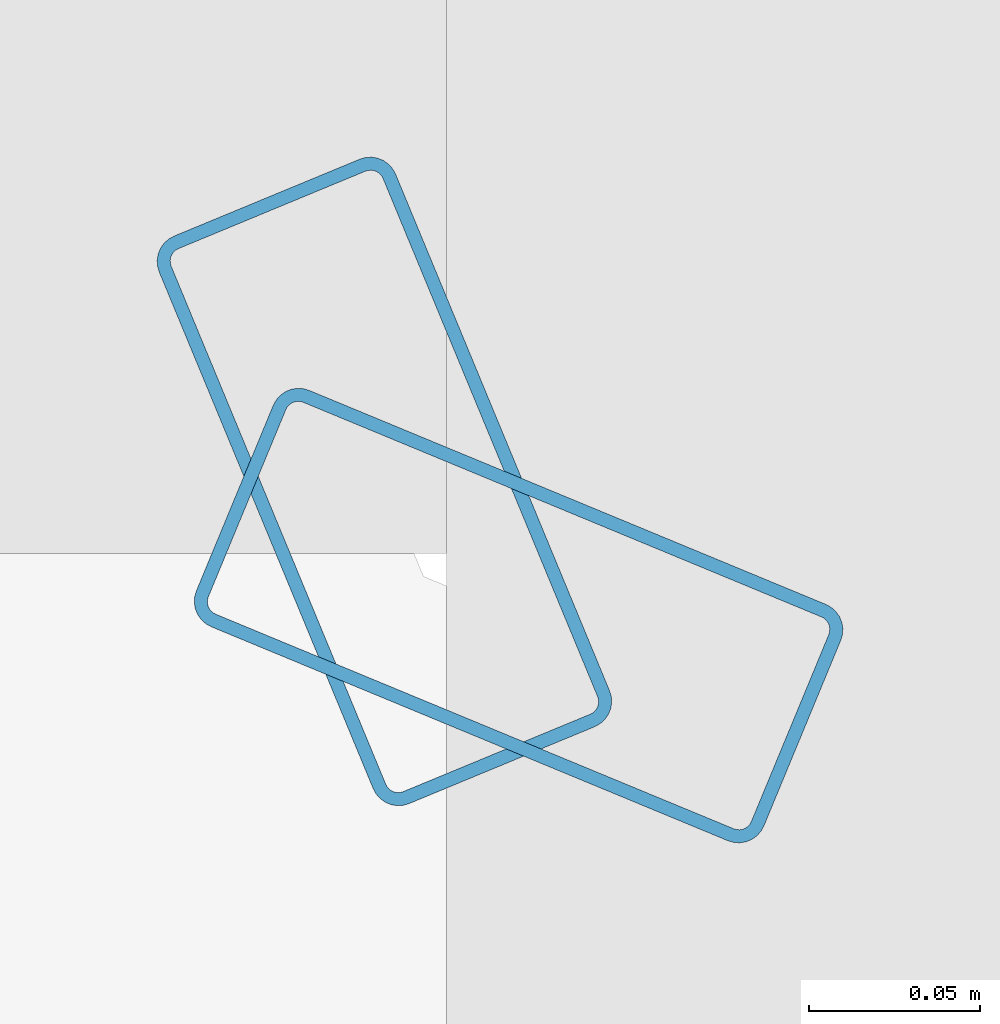
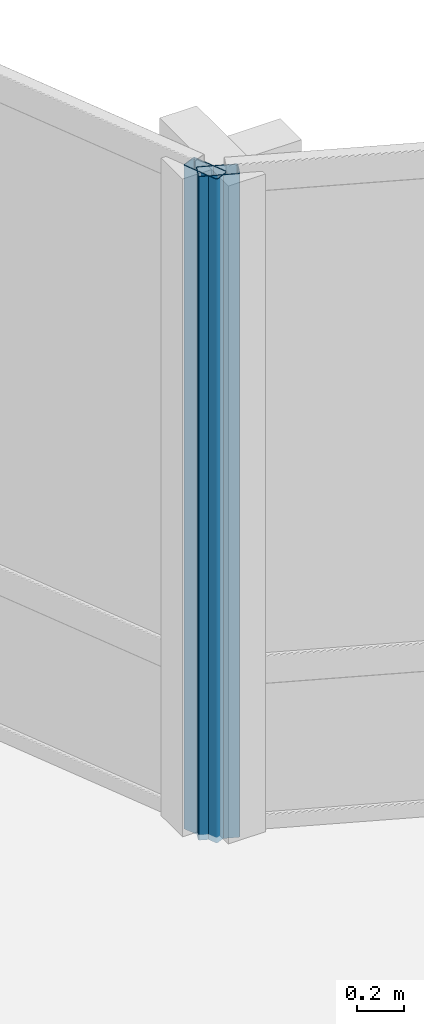
# One storey, part 8 of 29: 2 members, 2 elements without a shape of their own.
"""IFC4 building model written with IfcOpenShell, lengths in metres."""

from ifc_helpers import new_model, si_unit, direction, frame, origin, origin_2d, place, context, subcontext, project, spatial, hollow_rectangle, extrude, material, layer, layer_set, material_profile, profile_set, type_object, element, aggregate, save


model = new_model("IFC4")

# Units and contexts
model_context = context("Model", 3, precision=1e-05, world=origin(), true_north=direction((0.0, 1.0)))
body_context = subcontext(model_context, "Body", "Model", "MODEL_VIEW")
ifc_project = project(units=[si_unit("LENGTHUNIT", "METRE"), si_unit("AREAUNIT", "SQUARE_METRE"), si_unit("VOLUMEUNIT", "CUBIC_METRE"), si_unit("PLANEANGLEUNIT", "RADIAN"), si_unit("MASSUNIT", "GRAM", prefix="KILO")], contexts=[model_context])

# Site, building, storey
site_placement = place(None, origin())
site = spatial("IfcSite", under=ifc_project, at=site_placement, CompositionType="ELEMENT")
building_placement = place(site_placement, origin())
building = spatial("IfcBuilding", under=site, at=building_placement, Name="Solvaryn Broadcast Tower", CompositionType="ELEMENT")
storey_placement = place(building_placement, frame((0.0, 0.0, 113.699951171875)))
storey = spatial("IfcBuildingStorey", under=building, at=storey_placement, Name="L27", CompositionType="ELEMENT", Elevation=113.699951171875)

# Curtain wall, member
ifc_material_1 = material(Name="Aluminium and Terracotta Unitised Curtain Wall", Category="masonry")
ifc_layer = layer(ifc_material_1, 0.199951171875)
ifc_layer_set = layer_set([ifc_layer], Name="CW-SYS2-LOWMID")
curtain_wall_type = type_object("IfcCurtainWallType", Name="CW-SYS2-LOWMID", PredefinedType="NOTDEFINED", material=ifc_layer_set)
curtain_wall_1_placement = place(storey_placement, origin())
curtain_wall_1 = element("IfcCurtainWall", 1, at=curtain_wall_1_placement, inside=storey, type_object=curtain_wall_type, Name="L27 Curtain Wall CN1", PredefinedType="NOTDEFINED")
ifc_material_2 = material(Name="Anodised Aluminium 6063-T6", Category="aluminium")
ifc_material_profile = material_profile(ifc_material_2, hollow_rectangle(XDim=0.074951171875, YDim=0.179931640625, WallThickness=0.00390625, InnerFilletRadius=0.00390625, OuterFilletRadius=0.008056640625, at=origin_2d()))
ifc_profile_set = profile_set([ifc_material_profile], Name="Anodised Aluminium 6063-T6")
member_type = type_object("IfcMemberType", Name="CW-MUL-180", PredefinedType="MULLION", material=ifc_profile_set)
member_1_placement = place(storey_placement, frame((30.395751953125, 30.3564453125, 0.0), z_axis=(0.0, 0.0, 1.0), x_axis=(-0.382646127145, -0.923894983957, 0.0)))
member_1 = element("IfcMember", 2, at=member_1_placement, type_object=member_type, Name="CWS2 mullion 2", PredefinedType="MULLION", context=body_context, shape_type="SweptSolid", body=[
    extrude(hollow_rectangle(XDim=0.074951171875, YDim=0.179931640625, WallThickness=0.00390625, InnerFilletRadius=0.00390625, OuterFilletRadius=0.008056640625, at=origin_2d()), origin(), (0.0, 0.0, 1.0), 3.420166015625),
])
aggregate(curtain_wall_1, [member_1])

curtain_wall_2_placement = place(storey_placement, origin())
curtain_wall_2 = element("IfcCurtainWall", 3, at=curtain_wall_2_placement, inside=storey, type_object=curtain_wall_type, Name="L27 Curtain Wall CN2", PredefinedType="NOTDEFINED")
member_2_placement = place(storey_placement, frame((30.3564453125, 30.395751953125, 0.0), z_axis=(0.0, 0.0, 1.0), x_axis=(-0.923894983957, -0.382646127145, 0.0)))
member_2 = element("IfcMember", 4, at=member_2_placement, type_object=member_type, Name="CWS2 mullion 1", PredefinedType="MULLION", context=body_context, shape_type="SweptSolid", body=[
    extrude(hollow_rectangle(XDim=0.074951171875, YDim=0.179931640625, WallThickness=0.00390625, InnerFilletRadius=0.00390625, OuterFilletRadius=0.008056640625, at=origin_2d()), origin(), (0.0, 0.0, 1.0), 3.420166015625),
])
aggregate(curtain_wall_2, [member_2])

save(model, "model.ifc")
